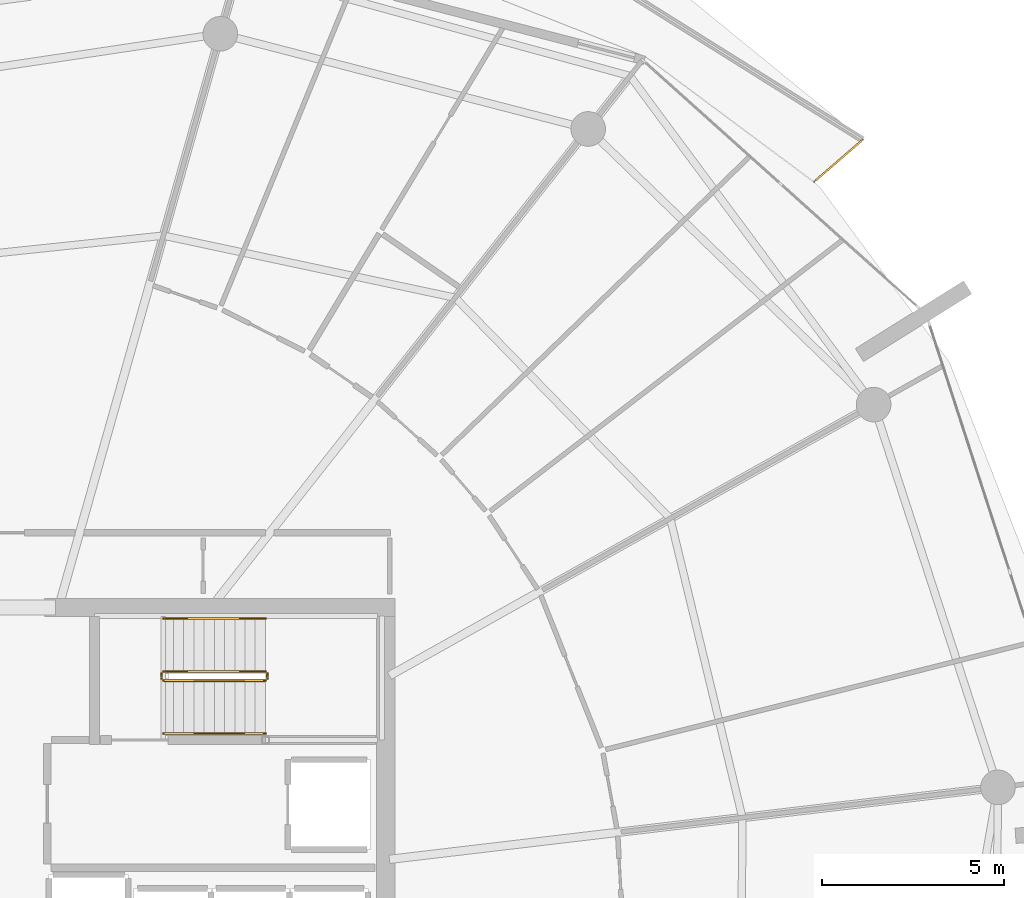
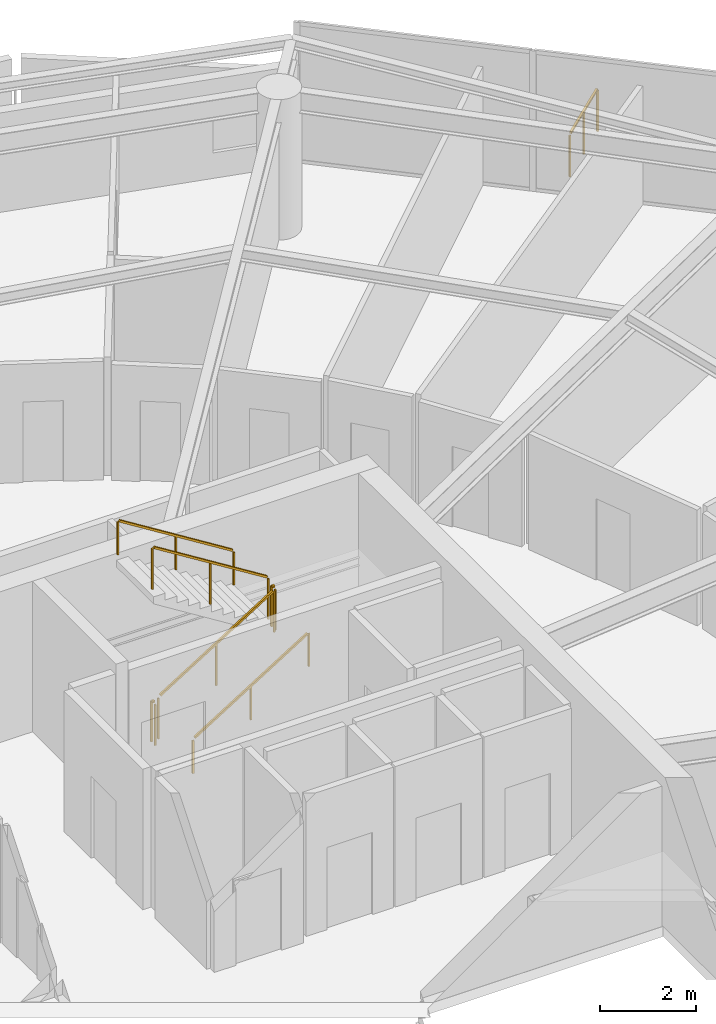
# One storey, part 28 of 29: 7 railings.
"""IFC4 building model written with IfcOpenShell, lengths in metres."""

from ifc_helpers import new_model, si_unit, direction, frame, origin, origin_2d, place, context, subcontext, project, spatial, rectangle, extrude, material, type_object, element, save


model = new_model("IFC4")

# Units and contexts
model_context = context("Model", 3, precision=1e-05, world=origin(), true_north=direction((0.0, 1.0)))
body_context = subcontext(model_context, "Body", "Model", "MODEL_VIEW")
ifc_project = project(units=[si_unit("LENGTHUNIT", "METRE"), si_unit("AREAUNIT", "SQUARE_METRE"), si_unit("VOLUMEUNIT", "CUBIC_METRE"), si_unit("PLANEANGLEUNIT", "RADIAN"), si_unit("MASSUNIT", "GRAM", prefix="KILO")], contexts=[model_context])

# Site, building, storey
site_placement = place(None, origin())
site = spatial("IfcSite", under=ifc_project, at=site_placement, CompositionType="ELEMENT")
building_placement = place(site_placement, origin())
building = spatial("IfcBuilding", under=site, at=building_placement, Name="Kazma Halo Residences", CompositionType="ELEMENT")
storey_placement = place(building_placement, frame((0.0, 0.0, 282.89990234375)))
storey = spatial("IfcBuildingStorey", under=building, at=storey_placement, Name="L71", CompositionType="ELEMENT", Elevation=282.89990234375)

# Railings
ifc_material_1 = material(Name="Aluminium AW-6063 T6 Brushed Cap Rail", Category="aluminium")
railing_type_1 = type_object("IfcRailingType", Name="RLG-BAL-CAP-1120", PredefinedType="BALUSTRADE", material=ifc_material_1)
railing_1_placement = place(storey_placement, frame((71.0400390625, 61.9228515625, 0.0)))
element("IfcRailing", 1, at=railing_1_placement, inside=storey, type_object=railing_type_1, Name="L71 NE wave balcony guard 1", PredefinedType="BALUSTRADE", context=body_context, shape_type="SweptSolid", body=[
    extrude(rectangle(XDim=0.050048828125, YDim=0.050048828125, at=origin_2d()), frame((0.0322265625, 0.02783203125, 1.09521484375), z_axis=(0.756439222674, 0.65406398953, 0.0), x_axis=(-0.65406398953, 0.756439222674, 0.0)), (0.0, 0.0, 1.0), 1.6748046875),
    extrude(rectangle(XDim=0.0400390625, YDim=0.0400390625, at=origin_2d()), origin(), (0.0, 0.0, 1.0), 1.05810546875),
    extrude(rectangle(XDim=0.0400390625, YDim=0.0400390625, at=origin_2d()), frame((0.66552734375, 0.57568359375, 0.0)), (0.0, 0.0, 1.0), 1.05810546875),
    extrude(rectangle(XDim=0.0400390625, YDim=0.0400390625, at=origin_2d()), frame((1.331298828125, 1.151123046875, 0.0)), (0.0, 0.0, 1.0), 1.05810546875),
])
ifc_material_2 = material(Name="Painted Steel S355", Category="steel")
railing_type_2 = type_object("IfcRailingType", Name="RLG-STAIR-GRD-1100", PredefinedType="GUARDRAIL", material=ifc_material_2)
railing_2_placement = place(storey_placement, frame((53.199951171875, 48.25, 0.175048828125)))
element("IfcRailing", 2, at=railing_2_placement, inside=storey, type_object=railing_type_2, Name="L71 ST-02 stair guard 1", PredefinedType="GUARDRAIL", context=body_context, shape_type="SweptSolid", body=[
    extrude(rectangle(XDim=0.050048828125, YDim=0.050048828125, at=origin_2d()), frame((0.0361328125, 0.0, 1.09765625), z_axis=(0.848002457836, 0.0, 0.529992293815), x_axis=(0.0, 1.0, 0.0)), (0.0, 0.0, 1.0), 3.216796875),
    extrude(rectangle(XDim=0.0400390625, YDim=0.0400390625, at=origin_2d()), origin(), (0.0, 0.0, 1.0), 1.0380859375),
    extrude(rectangle(XDim=0.0400390625, YDim=0.0400390625, at=origin_2d()), frame((1.39990234375, 0.0, 0.875)), (0.0, 0.0, 1.0), 1.0380859375),
    extrude(rectangle(XDim=0.0400390625, YDim=0.0400390625, at=origin_2d()), frame((2.800048828125, 0.0, 1.75)), (0.0, 0.0, 1.0), 1.0380859375),
])
railing_3_placement = place(storey_placement, frame((56.050048828125, 48.300048828125, 1.925048828125)))
element("IfcRailing", 3, at=railing_3_placement, inside=storey, type_object=railing_type_2, Name="L71 ST-02 stair guard 2", PredefinedType="GUARDRAIL", context=body_context, shape_type="SweptSolid", body=[
    extrude(rectangle(XDim=0.050048828125, YDim=0.050048828125, at=origin_2d()), frame((0.0, 0.04248046875, 1.0751953125), z_axis=(0.0, 1.0, 0.0), x_axis=(-1.0, 0.0, 0.0)), (0.0, 0.0, 1.0), 0.06494140625),
    extrude(rectangle(XDim=0.0400390625, YDim=0.0400390625, at=origin_2d()), origin(), (0.0, 0.0, 1.0), 1.0380859375),
    extrude(rectangle(XDim=0.0400390625, YDim=0.0400390625, at=origin_2d()), frame((0.0, 0.14990234375, 0.0)), (0.0, 0.0, 1.0), 1.0380859375),
])
railing_4_placement = place(storey_placement, frame((56.0, 48.5, 2.10009765625)))
element("IfcRailing", 4, at=railing_4_placement, inside=storey, type_object=railing_type_2, Name="L71 ST-02 stair guard 3", PredefinedType="GUARDRAIL", context=body_context, shape_type="SweptSolid", body=[
    extrude(rectangle(XDim=0.050048828125, YDim=0.050048828125, at=origin_2d()), frame((-0.0361328125, 0.0, 1.09765625), z_axis=(-0.848002457836, 0.0, 0.529992293815), x_axis=(0.0, -1.0, 0.0)), (0.0, 0.0, 1.0), 3.216796875),
    extrude(rectangle(XDim=0.0400390625, YDim=0.0400390625, at=origin_2d()), origin(), (0.0, 0.0, 1.0), 1.0380859375),
    extrude(rectangle(XDim=0.0400390625, YDim=0.0400390625, at=origin_2d()), frame((-1.39990234375, 0.0, 0.875)), (0.0, 0.0, 1.0), 1.0380859375),
    extrude(rectangle(XDim=0.0400390625, YDim=0.0400390625, at=origin_2d()), frame((-2.800048828125, 0.0, 1.75)), (0.0, 0.0, 1.0), 1.0380859375),
])
railing_5_placement = place(storey_placement, frame((53.14990234375, 48.300048828125, 0.0)))
element("IfcRailing", 5, at=railing_5_placement, inside=storey, type_object=railing_type_2, Name="L71 ST-02 stair guard 4", PredefinedType="GUARDRAIL", context=body_context, shape_type="SweptSolid", body=[
    extrude(rectangle(XDim=0.050048828125, YDim=0.050048828125, at=origin_2d()), frame((0.0, 0.04248046875, 1.0751953125), z_axis=(0.0, 1.0, 0.0), x_axis=(-1.0, 0.0, 0.0)), (0.0, 0.0, 1.0), 0.06494140625),
    extrude(rectangle(XDim=0.0400390625, YDim=0.0400390625, at=origin_2d()), origin(), (0.0, 0.0, 1.0), 1.0380859375),
    extrude(rectangle(XDim=0.0400390625, YDim=0.0400390625, at=origin_2d()), frame((0.0, 0.14990234375, 0.0)), (0.0, 0.0, 1.0), 1.0380859375),
])
ifc_material_3 = material(Name="Brushed Stainless Steel", Category="steel")
railing_type_3 = type_object("IfcRailingType", Name="RLG-STAIR-HND-900", PredefinedType="HANDRAIL", material=ifc_material_3)
railing_6_placement = place(storey_placement, frame((53.199951171875, 46.800048828125, 0.175048828125)))
element("IfcRailing", 6, at=railing_6_placement, inside=storey, type_object=railing_type_3, Name="L71 ST-02 stair handrail 1", PredefinedType="HANDRAIL", context=body_context, shape_type="SweptSolid", body=[
    extrude(rectangle(XDim=0.050048828125, YDim=0.050048828125, at=origin_2d()), frame((0.0361328125, 0.0, 0.8974609375), z_axis=(0.848002457836, 0.0, 0.529992293815), x_axis=(0.0, 1.0, 0.0)), (0.0, 0.0, 1.0), 3.216796875),
    extrude(rectangle(XDim=0.0400390625, YDim=0.0400390625, at=origin_2d()), origin(), (0.0, 0.0, 1.0), 0.837890625),
    extrude(rectangle(XDim=0.0400390625, YDim=0.0400390625, at=origin_2d()), frame((1.39990234375, 0.0, 0.875)), (0.0, 0.0, 1.0), 0.837890625),
    extrude(rectangle(XDim=0.0400390625, YDim=0.0400390625, at=origin_2d()), frame((2.800048828125, 0.0, 1.75)), (0.0, 0.0, 1.0), 0.837890625),
])
railing_7_placement = place(storey_placement, frame((56.0, 49.949951171875, 2.10009765625)))
element("IfcRailing", 7, at=railing_7_placement, inside=storey, type_object=railing_type_3, Name="L71 ST-02 stair handrail 2", PredefinedType="HANDRAIL", context=body_context, shape_type="SweptSolid", body=[
    extrude(rectangle(XDim=0.050048828125, YDim=0.050048828125, at=origin_2d()), frame((-0.0361328125, 0.0, 0.8974609375), z_axis=(-0.848002457836, 0.0, 0.529992293815), x_axis=(0.0, -1.0, 0.0)), (0.0, 0.0, 1.0), 3.216796875),
    extrude(rectangle(XDim=0.0400390625, YDim=0.0400390625, at=origin_2d()), origin(), (0.0, 0.0, 1.0), 0.837890625),
    extrude(rectangle(XDim=0.0400390625, YDim=0.0400390625, at=origin_2d()), frame((-1.39990234375, 0.0, 0.875)), (0.0, 0.0, 1.0), 0.837890625),
    extrude(rectangle(XDim=0.0400390625, YDim=0.0400390625, at=origin_2d()), frame((-2.800048828125, 0.0, 1.75)), (0.0, 0.0, 1.0), 0.837890625),
])

save(model, "model.ifc")
